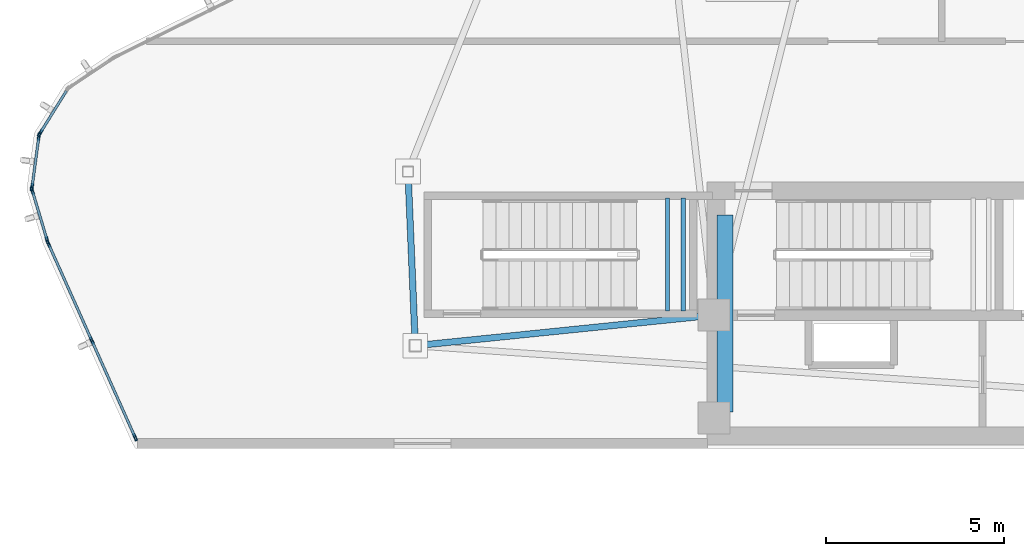
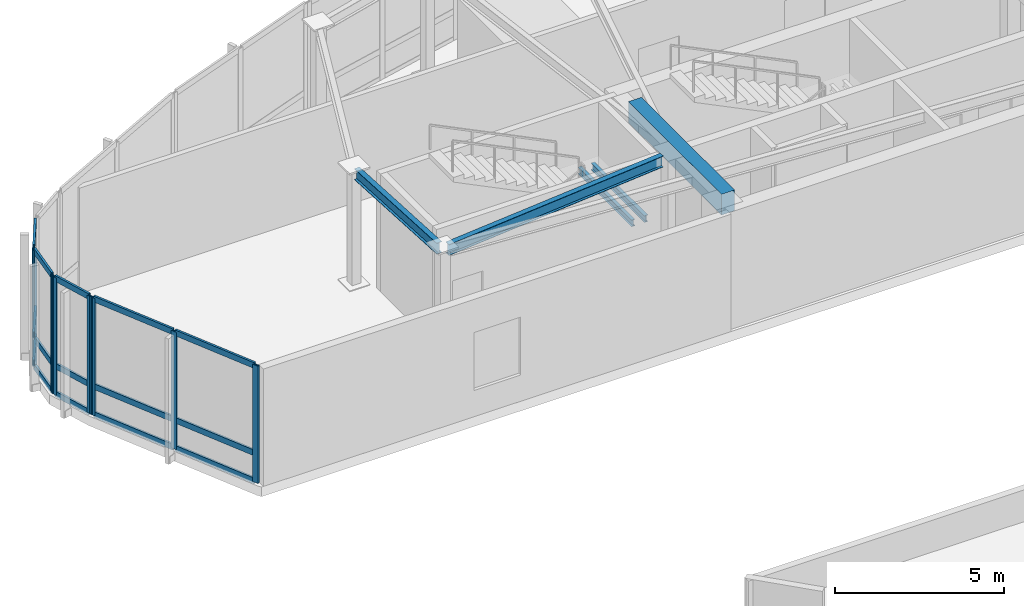
# One storey, part 2 of 11: 23 members, 5 beams, 4 elements without a shape of their own.
"""IFC4 building model written with IfcOpenShell, lengths in metres."""

from ifc_helpers import new_model, si_unit, direction, frame, origin, origin_2d, place, context, subcontext, project, spatial, rectangle, hollow_rectangle, i_section, extrude, source, transform, mapped, material, layer, layer_set, material_profile, profile_set, type_object, type_shapes, element, aggregate, save


model = new_model("IFC4")

# Units and contexts
model_context = context("Model", 3, precision=1e-05, world=origin(), true_north=direction((0.0, 1.0)))
body_context = subcontext(model_context, "Body", "Model", "MODEL_VIEW")
ifc_project = project(units=[si_unit("LENGTHUNIT", "METRE"), si_unit("AREAUNIT", "SQUARE_METRE"), si_unit("VOLUMEUNIT", "CUBIC_METRE"), si_unit("PLANEANGLEUNIT", "RADIAN"), si_unit("MASSUNIT", "GRAM", prefix="KILO")], contexts=[model_context])

# Site, building, storey
site_placement = place(None, origin())
site = spatial("IfcSite", under=ifc_project, at=site_placement, CompositionType="ELEMENT")
building_placement = place(site_placement, origin())
building = spatial("IfcBuilding", under=site, at=building_placement, Name="Tavelor Broadcast Tower", CompositionType="ELEMENT")
storey_placement = place(building_placement, frame((0.0, 0.0, 345.89990234375)))
storey = spatial("IfcBuildingStorey", under=building, at=storey_placement, Name="L82", CompositionType="ELEMENT", Elevation=345.89990234375)

# Beams
ifc_material_1 = material(Name="Concrete C40/50", Category="concrete")
ifc_material_profile_1 = material_profile(ifc_material_1, rectangle(XDim=0.449951171875, YDim=0.75, at=origin_2d()), Name="RC 450x750")
ifc_profile_set_1 = profile_set([ifc_material_profile_1], Name="Concrete C40/50")
beam_type_1 = type_object("IfcBeamType", Name="Basement Core Trim Beam 450x750", PredefinedType="BEAM", material=ifc_profile_set_1)
beam_1_placement = place(storey_placement, frame((43.39990234375, 45.23193359375, 3.875), z_axis=(0.0, 1.0, 0.0), x_axis=(-1.0, 0.0, 0.0)))
element("IfcBeam", 1, at=beam_1_placement, inside=storey, type_object=beam_type_1, Name="L82 Core West-N Tie Girder", PredefinedType="BEAM", context=body_context, shape_type="SweptSolid", body=[
    extrude(rectangle(XDim=0.449951171875, YDim=0.75, at=origin_2d()), origin(), (0.0, 0.0, 1.0), 5.5361328125),
])
ifc_material_2 = material(Name="Steel S355", Category="steel")
ifc_material_profile_2 = material_profile(ifc_material_2, i_section(OverallWidth=0.179931640625, OverallDepth=0.39990234375, WebThickness=0.008544921875, FlangeThickness=0.013427734375, at=origin_2d()), Name="IPE 400")
ifc_profile_set_2 = profile_set([ifc_material_profile_2], Name="Steel S355")
beam_type_2 = type_object("IfcBeamType", Name="Crown Ring Spandrel Beam IPE400", PredefinedType="SPANDREL", material=ifc_profile_set_2)
beam_2_placement = place(storey_placement, frame((34.49169921875, 51.836181640625, 4.050048828125), z_axis=(0.04186598698, -0.999123235209, 0.0), x_axis=(0.999123235209, 0.04186598698, 0.0)))
element("IfcBeam", 2, at=beam_2_placement, inside=storey, type_object=beam_type_2, Name="L82 Crown Peak A Ring Spandrel 2", PredefinedType="SPANDREL", context=body_context, shape_type="SweptSolid", body=[
    extrude(i_section(OverallWidth=0.179931640625, OverallDepth=0.39990234375, WebThickness=0.008544921875, FlangeThickness=0.013427734375, at=origin_2d()), origin(), (0.0, 0.0, 1.0), 4.57177734375),
])
beam_3_placement = place(storey_placement, frame((42.670166015625, 47.906005859375, 4.050048828125), z_axis=(-0.994811533422, -0.101735013494, 0.0), x_axis=(0.101735013494, -0.994811533422, 0.0)))
element("IfcBeam", 3, at=beam_3_placement, inside=storey, type_object=beam_type_2, Name="L82 Crown Peak A Radial Beam 3", PredefinedType="SPANDREL", context=body_context, shape_type="SweptSolid", body=[
    extrude(i_section(OverallWidth=0.179931640625, OverallDepth=0.39990234375, WebThickness=0.008544921875, FlangeThickness=0.013427734375, at=origin_2d()), origin(), (0.0, 0.0, 1.0), 7.842529296875),
])
ifc_material_profile_3 = material_profile(ifc_material_2, i_section(OverallWidth=0.1201171875, OverallDepth=0.239990234375, WebThickness=0.006103515625, FlangeThickness=0.009765625, at=origin_2d()), Name="IPE 240")
ifc_profile_set_3 = profile_set([ifc_material_profile_3], Name="Steel S355")
beam_type_3 = type_object("IfcBeamType", Name="Stairwell Landing Support Trimmer Beam IPE240", PredefinedType="BEAM", material=ifc_profile_set_3)
for number, where, z_axis, x_axis, name in (
    (4, (41.784912109375, 48.06005859375, 1.985107421875), (0.0, 1.0, 0.0), (-1.0, 0.0, 0.0), "L82 Stair Landing Support Beam 479"),
    (5, (42.22509765625, 48.06005859375, 1.985107421875), (0.0, 1.0, 0.0), (-1.0, 0.0, 0.0), "L82 Stair Landing Support Beam 480"),
):
    element("IfcBeam", number, at=place(storey_placement, frame(where, z_axis=z_axis, x_axis=x_axis)), inside=storey, type_object=beam_type_3, Name=name, PredefinedType="BEAM", context=body_context, shape_type="SweptSolid", body=[
        extrude(i_section(OverallWidth=0.1201171875, OverallDepth=0.239990234375, WebThickness=0.006103515625, FlangeThickness=0.009765625, at=origin_2d()), origin(), (0.0, 0.0, 1.0), 3.179931640625),
    ])

# Curtain wall, member
ifc_material_3 = material(Name="Architectural Anodized Aluminium", Category="aluminium")
ifc_layer = layer(ifc_material_3, 0.2099609375)
ifc_layer_set = layer_set([ifc_layer], Name="Architectural Anodized Aluminium")
curtain_wall_type = type_object("IfcCurtainWallType", Name="Split-Crown Beacon Curtain Wall CW06", PredefinedType="NOTDEFINED", material=ifc_layer_set)
curtain_wall_1_placement = place(storey_placement, origin())
curtain_wall_1 = element("IfcCurtainWall", 6, at=curtain_wall_1_placement, inside=storey, type_object=curtain_wall_type, Name="L82 Curtain Wall CW06 Run 968", PredefinedType="NOTDEFINED")
ifc_material_profile_4 = material_profile(ifc_material_3, hollow_rectangle(XDim=0.072021484375, YDim=0.2099609375, WallThickness=0.02197265625, at=origin_2d()), Name="RHS 72x210x22")
ifc_profile_set_4 = profile_set([ifc_material_profile_4], Name="Architectural Anodized Aluminium")
member_type_1 = type_object("IfcMemberType", Name="CW06 Extruded Aluminium Mullion 72x210", PredefinedType="MULLION", material=ifc_profile_set_4)
shared_shape_1 = source(origin(), body_context, "Body", "SweptSolid", [
    extrude(hollow_rectangle(XDim=0.072021484375, YDim=0.2099609375, WallThickness=0.02197265625, at=origin_2d()), origin(), (0.0, 0.0, 1.0), 4.25),
])
type_shapes(member_type_1, [shared_shape_1])
member_1_placement = place(storey_placement, frame((24.135498046875, 53.06884765625, 0.0), z_axis=(0.0, 0.0, 1.0), x_axis=(0.848526144151, -0.529153458548, 0.0)))
member_1 = element("IfcMember", 7, at=member_1_placement, type_object=member_type_1, Name="CW06 mullion 2", PredefinedType="MULLION", context=body_context, shape_type="MappedRepresentation", body=[
    mapped(shared_shape_1, transform((0.0, 0.0, 0.0), scale=1.0)),
])

# Curtain wall, members
curtain_wall_2_placement = place(storey_placement, origin())
curtain_wall_2 = element("IfcCurtainWall", 8, at=curtain_wall_2_placement, inside=storey, type_object=curtain_wall_type, Name="L82 Curtain Wall CW06 Run 969", PredefinedType="NOTDEFINED")
member_2_placement = place(storey_placement, frame((24.1015625, 52.974853515625, 0.0), z_axis=(0.0, 0.0, 1.0), x_axis=(0.991102537874, -0.133100561302, 0.0)))
member_2 = element("IfcMember", 9, at=member_2_placement, type_object=member_type_1, Name="CW06 mullion 1", PredefinedType="MULLION", context=body_context, shape_type="MappedRepresentation", body=[
    mapped(shared_shape_1, transform((0.0, 0.0, 0.0), scale=1.0)),
])
member_3_placement = place(storey_placement, frame((23.91015625, 51.549560546875, 0.0), z_axis=(0.0, 0.0, 1.0), x_axis=(0.991102537874, -0.133100561302, 0.0)))
member_3 = element("IfcMember", 10, at=member_3_placement, type_object=member_type_1, Name="CW06 mullion 2", PredefinedType="MULLION", context=body_context, shape_type="MappedRepresentation", body=[
    mapped(shared_shape_1, transform((0.0, 0.0, 0.0), scale=1.0)),
])

curtain_wall_3_placement = place(storey_placement, origin())
curtain_wall_3 = element("IfcCurtainWall", 11, at=curtain_wall_3_placement, inside=storey, type_object=curtain_wall_type, Name="L82 Curtain Wall CW06 Run 970", PredefinedType="NOTDEFINED")
member_4_placement = place(storey_placement, frame((23.91796875, 51.4501953125, 0.0), z_axis=(0.0, 0.0, 1.0), x_axis=(0.958082926348, 0.286491022965, 0.0)))
member_4 = element("IfcMember", 12, at=member_4_placement, type_object=member_type_1, Name="CW06 mullion 1", PredefinedType="MULLION", context=body_context, shape_type="MappedRepresentation", body=[
    mapped(shared_shape_1, transform((0.0, 0.0, 0.0), scale=1.0)),
])
member_5_placement = place(storey_placement, frame((24.336181640625, 50.052001953125, 0.0), z_axis=(0.0, 0.0, 1.0), x_axis=(0.958082926348, 0.286491022965, 0.0)))
member_5 = element("IfcMember", 13, at=member_5_placement, type_object=member_type_1, Name="CW06 mullion 2", PredefinedType="MULLION", context=body_context, shape_type="MappedRepresentation", body=[
    mapped(shared_shape_1, transform((0.0, 0.0, 0.0), scale=1.0)),
])

curtain_wall_4_placement = place(storey_placement, origin())
curtain_wall_4 = element("IfcCurtainWall", 14, at=curtain_wall_4_placement, inside=storey, type_object=curtain_wall_type, Name="L82 Curtain Wall CW06 Run 971", PredefinedType="NOTDEFINED")
member_6_placement = place(storey_placement, frame((24.37158203125, 49.956787109375, 0.0), z_axis=(0.0, 0.0, 1.0), x_axis=(0.912691402392, 0.408649487947, 0.0)))
member_6 = element("IfcMember", 15, at=member_6_placement, type_object=member_type_1, Name="CW06 mullion 1", PredefinedType="MULLION", context=body_context, shape_type="MappedRepresentation", body=[
    mapped(shared_shape_1, transform((0.0, 0.0, 0.0), scale=1.0)),
])
member_7_placement = place(storey_placement, frame((25.589599609375, 47.236083984375, 0.0), z_axis=(0.0, 0.0, 1.0), x_axis=(0.912691402392, 0.408649487947, 0.0)))
member_7 = element("IfcMember", 16, at=member_7_placement, type_object=member_type_1, Name="CW06 mullion 2", PredefinedType="MULLION", context=body_context, shape_type="MappedRepresentation", body=[
    mapped(shared_shape_1, transform((0.0, 0.0, 0.0), scale=1.0)),
])
member_8_placement = place(storey_placement, frame((26.807861328125, 44.51513671875, 0.0), z_axis=(0.0, 0.0, 1.0), x_axis=(0.912691402392, 0.408649487947, 0.0)))
member_8 = element("IfcMember", 17, at=member_8_placement, type_object=member_type_1, Name="CW06 mullion 3", PredefinedType="MULLION", context=body_context, shape_type="MappedRepresentation", body=[
    mapped(shared_shape_1, transform((0.0, 0.0, 0.0), scale=1.0)),
])

# Member
ifc_material_profile_5 = material_profile(ifc_material_3, hollow_rectangle(XDim=0.072021484375, YDim=0.2099609375, WallThickness=0.02197265625, at=origin_2d()), Name="RHS 72x210x22")
ifc_profile_set_5 = profile_set([ifc_material_profile_5], Name="Architectural Anodized Aluminium")
member_type_2 = type_object("IfcMemberType", Name="CW06 Extruded Aluminium Transom 72x210", PredefinedType="USERDEFINED", material=ifc_profile_set_5)
shared_shape_2 = source(origin(), body_context, "Body", "SweptSolid", [
    extrude(hollow_rectangle(XDim=0.072021484375, YDim=0.2099609375, WallThickness=0.02197265625, at=origin_2d()), origin(), (0.0, 0.0, 1.0), 1.38720703125),
])
member_9_placement = place(storey_placement, frame((23.92822265625, 51.415771484375, 0.0361328125), z_axis=(0.286508200171, -0.958077789762, 0.0), x_axis=(0.958077789762, 0.286508200171, 0.0)))
member_9 = element("IfcMember", 18, at=member_9_placement, type_object=member_type_2, Name="CW06 transom 1.1", ObjectType="TRANSOM", PredefinedType="USERDEFINED", context=body_context, shape_type="MappedRepresentation", body=[
    mapped(shared_shape_2, transform((0.0, 0.0, 0.0), scale=1.0)),
])

member_10_placement = place(storey_placement, frame((23.92822265625, 51.415771484375, 1.050048828125), z_axis=(0.286508200171, -0.958077789762, 0.0), x_axis=(0.958077789762, 0.286508200171, 0.0)))
member_10 = element("IfcMember", 19, at=member_10_placement, type_object=member_type_2, Name="CW06 transom 1.2", ObjectType="TRANSOM", PredefinedType="USERDEFINED", context=body_context, shape_type="MappedRepresentation", body=[
    mapped(shared_shape_2, transform((0.0, 0.0, 0.0), scale=1.0)),
])

member_11_placement = place(storey_placement, frame((23.92822265625, 51.415771484375, 4.214111328125), z_axis=(0.286508200171, -0.958077789762, 0.0), x_axis=(0.958077789762, 0.286508200171, 0.0)))
member_11 = element("IfcMember", 20, at=member_11_placement, type_object=member_type_2, Name="CW06 transom 1.3", ObjectType="TRANSOM", PredefinedType="USERDEFINED", context=body_context, shape_type="MappedRepresentation", body=[
    mapped(shared_shape_2, transform((0.0, 0.0, 0.0), scale=1.0)),
])

aggregate(curtain_wall_3, [member_4, member_5, member_9, member_10, member_11])

shared_shape_3 = source(origin(), body_context, "Body", "SweptSolid", [
    extrude(hollow_rectangle(XDim=0.072021484375, YDim=0.2099609375, WallThickness=0.02197265625, at=origin_2d()), origin(), (0.0, 0.0, 1.0), 1.3662109375),
])
member_12_placement = place(storey_placement, frame((24.87744140625, 54.258544921875, 0.0361328125), z_axis=(-0.529163359401, -0.848519969752, 0.0), x_axis=(0.848519969752, -0.529163359401, 0.0)))
member_12 = element("IfcMember", 21, at=member_12_placement, type_object=member_type_2, Name="CW06 transom 1.1", ObjectType="TRANSOM", PredefinedType="USERDEFINED", context=body_context, shape_type="MappedRepresentation", body=[
    mapped(shared_shape_3, transform((0.0, 0.0, 0.0), scale=1.0)),
])

member_13_placement = place(storey_placement, frame((24.87744140625, 54.258544921875, 1.050048828125), z_axis=(-0.529163359401, -0.848519969752, 0.0), x_axis=(0.848519969752, -0.529163359401, 0.0)))
member_13 = element("IfcMember", 22, at=member_13_placement, type_object=member_type_2, Name="CW06 transom 1.2", ObjectType="TRANSOM", PredefinedType="USERDEFINED", context=body_context, shape_type="MappedRepresentation", body=[
    mapped(shared_shape_3, transform((0.0, 0.0, 0.0), scale=1.0)),
])

member_14_placement = place(storey_placement, frame((24.87744140625, 54.258544921875, 4.214111328125), z_axis=(-0.529163359401, -0.848519969752, 0.0), x_axis=(0.848519969752, -0.529163359401, 0.0)))
member_14 = element("IfcMember", 23, at=member_14_placement, type_object=member_type_2, Name="CW06 transom 1.3", ObjectType="TRANSOM", PredefinedType="USERDEFINED", context=body_context, shape_type="MappedRepresentation", body=[
    mapped(shared_shape_3, transform((0.0, 0.0, 0.0), scale=1.0)),
])

aggregate(curtain_wall_1, [member_1, member_12, member_13, member_14])

member_15_placement = place(storey_placement, frame((24.096923828125, 52.939208984375, 0.0361328125), z_axis=(-0.133135218677, -0.99109788293, 0.0), x_axis=(0.99109788293, -0.133135218677, 0.0)))
member_15 = element("IfcMember", 24, at=member_15_placement, type_object=member_type_2, Name="CW06 transom 1.1", ObjectType="TRANSOM", PredefinedType="USERDEFINED", context=body_context, shape_type="MappedRepresentation", body=[
    mapped(shared_shape_3, transform((0.0, 0.0, 0.0), scale=1.0)),
])

member_16_placement = place(storey_placement, frame((24.096923828125, 52.939208984375, 1.050048828125), z_axis=(-0.133135218677, -0.99109788293, 0.0), x_axis=(0.99109788293, -0.133135218677, 0.0)))
member_16 = element("IfcMember", 25, at=member_16_placement, type_object=member_type_2, Name="CW06 transom 1.2", ObjectType="TRANSOM", PredefinedType="USERDEFINED", context=body_context, shape_type="MappedRepresentation", body=[
    mapped(shared_shape_3, transform((0.0, 0.0, 0.0), scale=1.0)),
])

member_17_placement = place(storey_placement, frame((24.096923828125, 52.939208984375, 4.214111328125), z_axis=(-0.133135218677, -0.99109788293, 0.0), x_axis=(0.99109788293, -0.133135218677, 0.0)))
member_17 = element("IfcMember", 26, at=member_17_placement, type_object=member_type_2, Name="CW06 transom 1.3", ObjectType="TRANSOM", PredefinedType="USERDEFINED", context=body_context, shape_type="MappedRepresentation", body=[
    mapped(shared_shape_3, transform((0.0, 0.0, 0.0), scale=1.0)),
])

aggregate(curtain_wall_2, [member_2, member_3, member_15, member_16, member_17])

shared_shape_4 = source(origin(), body_context, "Body", "SweptSolid", [
    extrude(hollow_rectangle(XDim=0.072021484375, YDim=0.2099609375, WallThickness=0.02197265625, at=origin_2d()), origin(), (0.0, 0.0, 1.0), 2.908935546875),
])
type_shapes(member_type_2, [shared_shape_2, shared_shape_3, shared_shape_4])
member_18_placement = place(storey_placement, frame((24.38623046875, 49.923828125, 0.0361328125), z_axis=(0.408636562398, -0.912697189582, 0.0), x_axis=(0.912697189582, 0.408636562398, 0.0)))
member_18 = element("IfcMember", 27, at=member_18_placement, type_object=member_type_2, Name="CW06 transom 1.1", ObjectType="TRANSOM", PredefinedType="USERDEFINED", context=body_context, shape_type="MappedRepresentation", body=[
    mapped(shared_shape_4, transform((0.0, 0.0, 0.0), scale=1.0)),
])

member_19_placement = place(storey_placement, frame((24.38623046875, 49.923828125, 1.050048828125), z_axis=(0.408636562398, -0.912697189582, 0.0), x_axis=(0.912697189582, 0.408636562398, 0.0)))
member_19 = element("IfcMember", 28, at=member_19_placement, type_object=member_type_2, Name="CW06 transom 1.2", ObjectType="TRANSOM", PredefinedType="USERDEFINED", context=body_context, shape_type="MappedRepresentation", body=[
    mapped(shared_shape_4, transform((0.0, 0.0, 0.0), scale=1.0)),
])

member_20_placement = place(storey_placement, frame((24.38623046875, 49.923828125, 4.214111328125), z_axis=(0.408636562398, -0.912697189582, 0.0), x_axis=(0.912697189582, 0.408636562398, 0.0)))
member_20 = element("IfcMember", 29, at=member_20_placement, type_object=member_type_2, Name="CW06 transom 1.3", ObjectType="TRANSOM", PredefinedType="USERDEFINED", context=body_context, shape_type="MappedRepresentation", body=[
    mapped(shared_shape_4, transform((0.0, 0.0, 0.0), scale=1.0)),
])

member_21_placement = place(storey_placement, frame((25.6044921875, 47.203125, 0.0361328125), z_axis=(0.408636562398, -0.912697189582, 0.0), x_axis=(0.912697189582, 0.408636562398, 0.0)))
member_21 = element("IfcMember", 30, at=member_21_placement, type_object=member_type_2, Name="CW06 transom 2.1", ObjectType="TRANSOM", PredefinedType="USERDEFINED", context=body_context, shape_type="MappedRepresentation", body=[
    mapped(shared_shape_4, transform((0.0, 0.0, 0.0), scale=1.0)),
])

member_22_placement = place(storey_placement, frame((25.6044921875, 47.203125, 1.050048828125), z_axis=(0.408636562398, -0.912697189582, 0.0), x_axis=(0.912697189582, 0.408636562398, 0.0)))
member_22 = element("IfcMember", 31, at=member_22_placement, type_object=member_type_2, Name="CW06 transom 2.2", ObjectType="TRANSOM", PredefinedType="USERDEFINED", context=body_context, shape_type="MappedRepresentation", body=[
    mapped(shared_shape_4, transform((0.0, 0.0, 0.0), scale=1.0)),
])

member_23_placement = place(storey_placement, frame((25.6044921875, 47.203125, 4.214111328125), z_axis=(0.408636562398, -0.912697189582, 0.0), x_axis=(0.912697189582, 0.408636562398, 0.0)))
member_23 = element("IfcMember", 32, at=member_23_placement, type_object=member_type_2, Name="CW06 transom 2.3", ObjectType="TRANSOM", PredefinedType="USERDEFINED", context=body_context, shape_type="MappedRepresentation", body=[
    mapped(shared_shape_4, transform((0.0, 0.0, 0.0), scale=1.0)),
])

aggregate(curtain_wall_4, [member_6, member_7, member_8, member_18, member_19, member_20, member_21, member_22, member_23])

save(model, "model.ifc")
